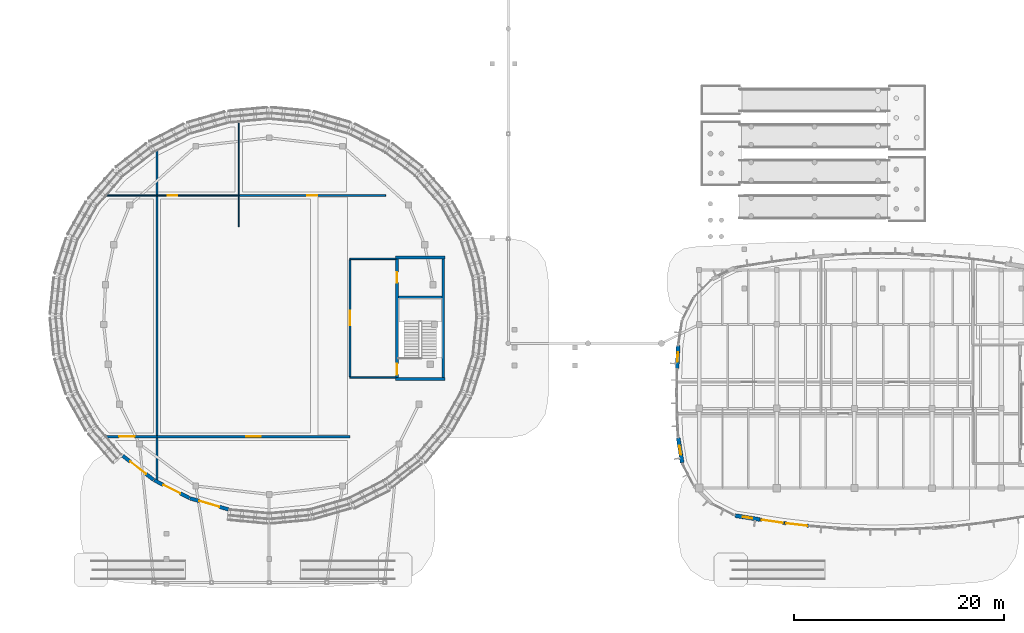
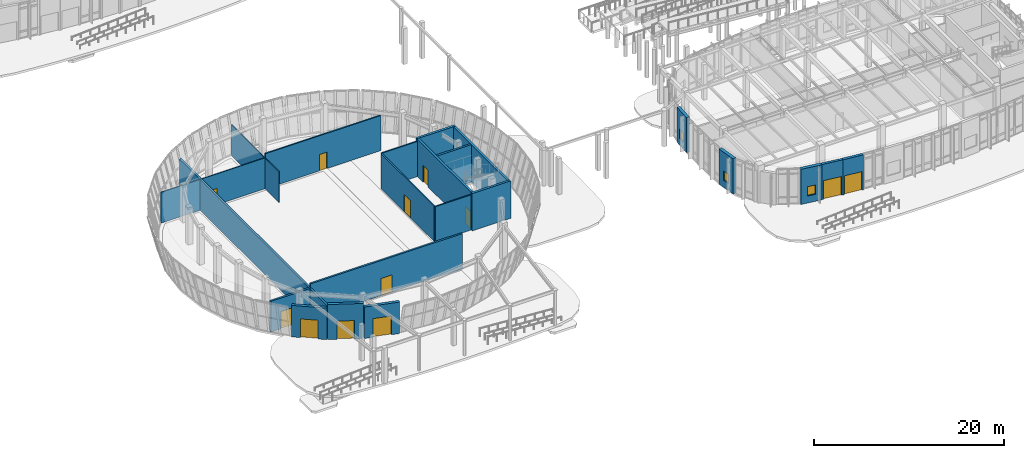
# One storey, part 89 of 120: 22 walls, 12 doors, 3 windows, 15 openings.
"""IFC4 building model written with IfcOpenShell, lengths in metres."""

import ifcopenshell
import ifcopenshell.guid

model = None  # the IFC model being written
_history = None  # IfcOwnerHistory: only IFC2X3 demands one
_inside = {}  # id of a spatial element -> (the spatial element, [elements in it])
_under = {}  # id of a project, library or spatial element -> (it, [spatial elements below it])
_declared = {}  # id of a project -> (the project, [libraries it declares])
_typed = {}  # id of a type object -> (the type object, [elements of that type])
_made_of = {}  # id of a material, layer set ... -> (it, [elements and type objects made of it])


def new_model(schema):
    """Start an empty IFC model of exactly this schema.

    Asked for "IFC4X3", IfcOpenShell would pick the latest addendum, in which some entities
    have other attributes; the version numbers below select the first issue.
    IFC2X3 requires an IfcOwnerHistory on every rooted entity: one is made here for all.
    """
    global model, _history
    if schema == "IFC4X3":
        model = ifcopenshell.file(schema_version=(4, 3, 0, 0))
    else:
        model = ifcopenshell.file(schema=schema)
    _inside.clear()
    _under.clear()
    _declared.clear()
    _typed.clear()
    _made_of.clear()
    _history = None
    if model.schema == "IFC2X3":
        org = make("IfcOrganization", Name="unknown")
        user = make(
            "IfcPersonAndOrganization",
            ThePerson=make("IfcPerson", FamilyName="unknown"),
            TheOrganization=org,
        )
        app = make(
            "IfcApplication",
            ApplicationDeveloper=org,
            Version="unknown",
            ApplicationFullName="unknown",
            ApplicationIdentifier="unknown",
        )
        _history = make(
            "IfcOwnerHistory",
            OwningUser=user,
            OwningApplication=app,
            ChangeAction="ADDED",
            CreationDate=0,
        )
    return model


def make(cls, **values):
    """One entity of the class cls with the attributes given. An attribute that is None is left unset."""
    return model.create_entity(
        cls, **{name: value for name, value in values.items() if value is not None}
    )


def rooted(cls, **values):
    """An entity with a GlobalId (a new one), such as an element, a storey or a relation."""
    return make(cls, GlobalId=ifcopenshell.guid.new(), OwnerHistory=_history, **values)


def si_unit(unit_type, name, prefix=None):
    """IfcSIUnit, for example si_unit("LENGTHUNIT", "METRE", prefix="MILLI")."""
    return make("IfcSIUnit", UnitType=unit_type, Prefix=prefix, Name=name)


def assignment(units):
    """IfcUnitAssignment: the units of a project."""
    return None if units is None else make("IfcUnitAssignment", Units=units)


def point(xyz):
    """IfcCartesianPoint."""
    return None if xyz is None else make("IfcCartesianPoint", Coordinates=xyz)


def direction(xyz):
    """IfcDirection."""
    return None if xyz is None else make("IfcDirection", DirectionRatios=xyz)


def frame(location, z_axis=None, x_axis=None):
    """IfcAxis2Placement3D, a coordinate frame: its origin and axes. An axis left out is left unset."""
    return make(
        "IfcAxis2Placement3D",
        Location=point(location),
        Axis=direction(z_axis),
        RefDirection=direction(x_axis),
    )


def frame_2d(location, x_axis=None):
    """IfcAxis2Placement2D, a coordinate frame in the plane: its origin and x axis."""
    return make(
        "IfcAxis2Placement2D", Location=point(location), RefDirection=direction(x_axis)
    )


def origin():
    """The frame at (0, 0, 0) with its axes left unset."""
    return frame((0.0, 0.0, 0.0))


def place(relative_to, where):
    """IfcLocalPlacement: puts the frame where relative to a parent placement (None: the world)."""
    return make(
        "IfcLocalPlacement", PlacementRelTo=relative_to, RelativePlacement=where
    )


def context(
    kind, dimensions, precision=None, world=None, true_north=None, identifier=None
):
    """IfcGeometricRepresentationContext, for example the 3D "Model" context."""
    return make(
        "IfcGeometricRepresentationContext",
        ContextIdentifier=identifier,
        ContextType=kind,
        CoordinateSpaceDimension=dimensions,
        Precision=precision,
        WorldCoordinateSystem=world,
        TrueNorth=true_north,
    )


def subcontext(parent, identifier, kind, view, scale=None):
    """IfcGeometricRepresentationSubContext, for example "Body" below "Model"."""
    return make(
        "IfcGeometricRepresentationSubContext",
        ContextIdentifier=identifier,
        ContextType=kind,
        ParentContext=parent,
        TargetScale=scale,
        TargetView=view,
    )


def project(units=None, contexts=None):
    """IfcProject with its units and contexts."""
    return rooted(
        "IfcProject",
        Name="project",
        RepresentationContexts=contexts,
        UnitsInContext=assignment(units),
    )


def spatial(cls, under=None, at=None, **own):
    """A site, building, storey or space (cls), placed at a placement, below another one or the project."""
    s = rooted(cls, ObjectPlacement=at, **own)
    if under is not None:
        _under.setdefault(under.id(), (under, []))[1].append(s)
    return s


def profile(cls, at=None, kind="AREA", **sizes):
    """A parametric profile (cls). Its sizes go by their IFC names, for example OverallWidth=200.0."""
    return make(cls, ProfileType=kind, Position=at, **sizes)


def rectangle(**sizes):
    """IfcRectangleProfileDef."""
    return profile("IfcRectangleProfileDef", **sizes)


def extrude(swept, where, along, depth):
    """IfcExtrudedAreaSolid: the profile swept, set in the frame where, extruded along a direction by depth."""
    return make(
        "IfcExtrudedAreaSolid",
        SweptArea=swept,
        Position=where,
        ExtrudedDirection=direction(along),
        Depth=depth,
    )


def shape(context_of_items, identifier, shape_type, items):
    """IfcShapeRepresentation: the items that make up one representation, for example the "Body"."""
    return make(
        "IfcShapeRepresentation",
        ContextOfItems=context_of_items,
        RepresentationIdentifier=identifier,
        RepresentationType=shape_type,
        Items=items,
    )


def material(Name=None, Category=None):
    """IfcMaterial."""
    return make("IfcMaterial", Name=Name, Category=Category)


def layer(
    of_material, thickness, ventilated=None, Name=None, Category=None, Priority=None
):
    """IfcMaterialLayer: one layer of a wall or slab, of a material (None: an air gap)."""
    return make(
        "IfcMaterialLayer",
        Material=of_material,
        LayerThickness=thickness,
        IsVentilated=ventilated,
        Name=Name,
        Category=Category,
        Priority=Priority,
    )


def layer_set(layers, Name=None):
    """IfcMaterialLayerSet."""
    return make("IfcMaterialLayerSet", MaterialLayers=layers, LayerSetName=Name)


def made_of(thing, what):
    """Note that an element or type object is made of a material, layer set ...; save() writes the relation."""
    if what is not None:
        _made_of.setdefault(what.id(), (what, []))[1].append(thing)
    return thing


def type_object(cls, material=None, **own):
    """A type object (cls), such as IfcWallType, which elements share."""
    return made_of(rooted(cls, **own), material)


def element(
    cls,
    number,
    at=None,
    inside=None,
    cuts=None,
    type_object=None,
    material=None,
    context=None,
    identifier="Body",
    shape_type=None,
    held_by="IfcProductDefinitionShape",
    body=None,
    shapes=None,
    **own,
):
    """One element of the class cls, such as IfcWall. Its Tag is "e" and its number.

    at: its placement. inside: the storey or other place that contains it. cuts: it is an
    opening in that element (IfcRelVoidsElement). A single representation is given by context,
    identifier, shape_type and body (its items); several are given by shapes. held_by: the class
    of the entity that holds the representations. save() writes the other relations.
    """
    e = rooted(cls, Tag="e%d" % number, ObjectPlacement=at, **own)
    if body is not None:
        shapes = [shape(context, identifier, shape_type, body)]
    if shapes is not None:
        e.Representation = make(held_by, Representations=shapes)
    if inside is not None:
        _inside.setdefault(inside.id(), (inside, []))[1].append(e)
    if cuts is not None:
        rooted(
            "IfcRelVoidsElement", RelatingBuildingElement=cuts, RelatedOpeningElement=e
        )
    if type_object is not None:
        _typed.setdefault(type_object.id(), (type_object, []))[1].append(e)
    return made_of(e, material)


def fill(opening, filler):
    """IfcRelFillsElement: the door or window that sits in an opening."""
    return rooted(
        "IfcRelFillsElement",
        RelatingOpeningElement=opening,
        RelatedBuildingElement=filler,
    )


def aggregate(whole, parts):
    """IfcRelAggregates: a whole, such as a stair, and the parts it consists of."""
    return rooted("IfcRelAggregates", RelatingObject=whole, RelatedObjects=parts)


def save(model, path):
    """Write the relations noted so far, then the file.

    IfcRelAggregates (storeys below a building ...), IfcRelContainedInSpatialStructure (elements
    in a storey), IfcRelDefinesByType, IfcRelAssociatesMaterial and IfcRelDeclares: one each for
    every whole, place, type object, material and project.
    """
    for whole, parts in _under.values():
        aggregate(whole, parts)
    for where, things in _inside.values():
        rooted(
            "IfcRelContainedInSpatialStructure",
            RelatedElements=things,
            RelatingStructure=where,
        )
    for kind, things in _typed.values():
        rooted("IfcRelDefinesByType", RelatedObjects=things, RelatingType=kind)
    for what, things in _made_of.values():
        rooted("IfcRelAssociatesMaterial", RelatedObjects=things, RelatingMaterial=what)
    for by, libraries in _declared.values():
        rooted("IfcRelDeclares", RelatingContext=by, RelatedDefinitions=libraries)
    model.write(path)


model = new_model("IFC4")

# Units and contexts
model_context = context("Model", 3, precision=1e-05, world=origin(), true_north=direction((0.0, 1.0)))
body_context = subcontext(model_context, "Body", "Model", "MODEL_VIEW")
ifc_project = project(units=[si_unit("LENGTHUNIT", "METRE"), si_unit("AREAUNIT", "SQUARE_METRE"), si_unit("VOLUMEUNIT", "CUBIC_METRE"), si_unit("PLANEANGLEUNIT", "RADIAN"), si_unit("MASSUNIT", "GRAM", prefix="KILO")], contexts=[model_context])

# Site, building, storey
site_placement = place(None, origin())
site = spatial("IfcSite", under=ifc_project, at=site_placement, CompositionType="ELEMENT")
building_placement = place(site_placement, origin())
building = spatial("IfcBuilding", under=site, at=building_placement, Name="Corveleigh Park Community Centre", CompositionType="ELEMENT")
storey_placement = place(building_placement, origin())
storey = spatial("IfcBuildingStorey", under=building, at=storey_placement, Name="L00", CompositionType="ELEMENT", Elevation=0.0)

# Wall, opening, door
ifc_material_1 = material(Name="Precast concrete C40/50", Category="concrete")
ifc_layer_1 = layer(ifc_material_1, 0.300048828125, Name="Precast concrete C40/50", Category="concrete")
ifc_layer_set_1 = layer_set([ifc_layer_1], Name="Precast concrete C40/50")
wall_type_1 = type_object("IfcWallType", Name="WL-EXT-300", PredefinedType="STANDARD", material=ifc_layer_set_1)
wall_1_placement = place(storey_placement, frame((80.115966796875, 7.85595703125, 0.0), z_axis=(0.0, 0.0, 1.0), x_axis=(-0.98914554884, 0.1469390459, 0.0)))
wall_1 = element("IfcWall", 1, at=wall_1_placement, inside=storey, type_object=wall_type_1, Name="V3 entrance wall", PredefinedType="STANDARD", context=body_context, shape_type="SweptSolid", body=[
    extrude(rectangle(XDim=2.33447265625, YDim=0.300048828125, at=frame_2d((1.167236328125, 0.0))), origin(), (0.0, 0.0, 1.0), 4.511962890625),
])
opening_1_placement = place(wall_1_placement, frame((0.1669921875, 0.0, 0.0)))
opening_1 = element("IfcOpeningElement", 2, at=opening_1_placement, cuts=wall_1, Name="Opening EXD1", PredefinedType="OPENING", context=body_context, shape_type="SweptSolid", body=[
    extrude(rectangle(XDim=2.0, YDim=2.39990234375, at=frame_2d((1.0, 1.199951171875))), frame((0.0, 0.159912109375, 0.0), z_axis=(0.0, -1.0, 0.0), x_axis=(1.0, 0.0, 0.0)), (0.0, 0.0, 1.0), 0.320068359375),
])
ifc_material_2 = material(Name="Powder-coated aluminium glazed door", Category="aluminium")
door_type_1 = type_object("IfcDoorType", Name="DR-EXT-2000x2400", OperationType="DOUBLE_DOOR_SINGLE_SWING", PredefinedType="DOOR", material=ifc_material_2)
door_1_placement = place(opening_1_placement, origin())
door_1 = element("IfcDoor", 3, at=door_1_placement, inside=storey, type_object=door_type_1, Name="V3 Final Exit EX15", OperationType="DOUBLE_DOOR_SINGLE_SWING", OverallHeight=2.39990234375, OverallWidth=2.0, PredefinedType="DOOR", context=body_context, shape_type="SweptSolid", body=[
    extrude(rectangle(XDim=2.0, YDim=2.39990234375, at=frame_2d((1.0, 1.199951171875))), frame((0.0, 0.02490234375, 0.0), z_axis=(0.0, -1.0, 0.0), x_axis=(1.0, 0.0, 0.0)), (0.0, 0.0, 1.0), 0.050048828125),
])
fill(opening_1, door_1)

ifc_layer_2 = layer(ifc_material_1, 0.320068359375, Name="Precast concrete C40/50", Category="concrete")
ifc_layer_set_2 = layer_set([ifc_layer_2], Name="Precast concrete C40/50")
wall_type_2 = type_object("IfcWallType", Name="WL-EXT-320", PredefinedType="STANDARD", material=ifc_layer_set_2)
wall_2_placement = place(storey_placement, frame((82.450927734375, 7.5869140625, 0.0), z_axis=(0.0, 0.0, 1.0), x_axis=(-0.993420850358, 0.114520801927, 0.0)))
wall_2 = element("IfcWall", 4, at=wall_2_placement, inside=storey, type_object=wall_type_2, Name="V3 entrance wall", PredefinedType="STANDARD", context=body_context, shape_type="SweptSolid", body=[
    extrude(rectangle(XDim=2.332275390625, YDim=0.320068359375, at=frame_2d((1.166015625, 0.0))), origin(), (0.0, 0.0, 1.0), 4.511962890625),
])
opening_2_placement = place(wall_2_placement, frame((0.166015625, 0.0, 0.0)))
opening_2 = element("IfcOpeningElement", 5, at=opening_2_placement, cuts=wall_2, Name="Opening EXD1", PredefinedType="OPENING", context=body_context, shape_type="SweptSolid", body=[
    extrude(rectangle(XDim=2.0, YDim=2.39990234375, at=frame_2d((1.0, 1.199951171875))), frame((0.0, 0.169921875, 0.0), z_axis=(0.0, -1.0, 0.0), x_axis=(1.0, 0.0, 0.0)), (0.0, 0.0, 1.0), 0.340087890625),
])
door_2_placement = place(opening_2_placement, origin())
door_2 = element("IfcDoor", 6, at=door_2_placement, inside=storey, type_object=door_type_1, Name="V3 Final Exit EX16", OperationType="DOUBLE_DOOR_SINGLE_SWING", OverallHeight=2.39990234375, OverallWidth=2.0, PredefinedType="DOOR", context=body_context, shape_type="SweptSolid", body=[
    extrude(rectangle(XDim=2.0, YDim=2.39990234375, at=frame_2d((1.0, 1.199951171875))), frame((0.0, 0.02490234375, 0.0), z_axis=(0.0, -1.0, 0.0), x_axis=(1.0, 0.0, 0.0)), (0.0, 0.0, 1.0), 0.050048828125),
])
fill(opening_2, door_2)

ifc_layer_3 = layer(ifc_material_1, 0.340087890625, Name="Precast concrete C40/50", Category="concrete")
ifc_layer_set_3 = layer_set([ifc_layer_3], Name="Precast concrete C40/50")
wall_type_3 = type_object("IfcWallType", Name="WL-EXT-340", PredefinedType="STANDARD", material=ifc_layer_set_3)
wall_3_placement = place(storey_placement, frame((19.97998046875, 11.98291015625, 0.0), z_axis=(0.0, 0.0, 1.0), x_axis=(-0.78871426294, 0.614759962453, 0.0)))
wall_3 = element("IfcWall", 7, at=wall_3_placement, inside=storey, type_object=wall_type_3, Name="V1 entrance wall", PredefinedType="STANDARD", context=body_context, shape_type="SweptSolid", body=[
    extrude(rectangle(XDim=3.7529296875, YDim=0.340087890625, at=frame_2d((1.87646484375, 0.0))), origin(), (0.0, 0.0, 1.0), 4.0400390625),
])
opening_3_placement = place(wall_3_placement, frame((0.927001953125, 0.0, 0.0)))
opening_3 = element("IfcOpeningElement", 8, at=opening_3_placement, cuts=wall_3, Name="Opening EXD2", PredefinedType="OPENING", context=body_context, shape_type="SweptSolid", body=[
    extrude(rectangle(XDim=1.89990234375, YDim=2.39990234375, at=frame_2d((0.949951171875, 1.199951171875))), frame((0.0, 0.179931640625, 0.0), z_axis=(0.0, -1.0, 0.0), x_axis=(1.0, 0.0, 0.0)), (0.0, 0.0, 1.0), 0.360107421875),
])
door_type_2 = type_object("IfcDoorType", Name="DR-EXT-1900x2400", OperationType="DOUBLE_DOOR_SINGLE_SWING", PredefinedType="DOOR", material=ifc_material_2)
door_3_placement = place(opening_3_placement, origin())
door_3 = element("IfcDoor", 9, at=door_3_placement, inside=storey, type_object=door_type_2, Name="V1 Final Exit EX01", OperationType="DOUBLE_DOOR_SINGLE_SWING", OverallHeight=2.39990234375, OverallWidth=1.89990234375, PredefinedType="DOOR", context=body_context, shape_type="SweptSolid", body=[
    extrude(rectangle(XDim=1.89990234375, YDim=2.39990234375, at=frame_2d((0.949951171875, 1.199951171875))), frame((0.0, 0.02490234375, 0.0), z_axis=(0.0, -1.0, 0.0), x_axis=(1.0, 0.0, 0.0)), (0.0, 0.0, 1.0), 0.050048828125),
])
fill(opening_3, door_3)

wall_4_placement = place(storey_placement, frame((23.40087890625, 10.241943359375, 0.0), z_axis=(0.0, 0.0, 1.0), x_axis=(-0.891704776389, 0.45261748946, 0.0)))
wall_4 = element("IfcWall", 10, at=wall_4_placement, inside=storey, type_object=wall_type_3, Name="V1 entrance wall", PredefinedType="STANDARD", context=body_context, shape_type="SweptSolid", body=[
    extrude(rectangle(XDim=3.789306640625, YDim=0.340087890625, at=frame_2d((1.89453125, 0.0))), origin(), (0.0, 0.0, 1.0), 4.511962890625),
])
opening_4_placement = place(wall_4_placement, frame((0.9951171875, 0.0, 0.0)))
opening_4 = element("IfcOpeningElement", 11, at=opening_4_placement, cuts=wall_4, Name="Opening EXD3", PredefinedType="OPENING", context=body_context, shape_type="SweptSolid", body=[
    extrude(rectangle(XDim=1.800048828125, YDim=2.35009765625, at=frame_2d((0.89990234375, 1.175048828125))), frame((0.0, 0.179931640625, 0.0), z_axis=(0.0, -1.0, 0.0), x_axis=(1.0, 0.0, 0.0)), (0.0, 0.0, 1.0), 0.360107421875),
])
door_type_3 = type_object("IfcDoorType", Name="DR-EXT-1800x2350", OperationType="DOUBLE_DOOR_SINGLE_SWING", PredefinedType="DOOR", material=ifc_material_2)
door_4_placement = place(opening_4_placement, origin())
door_4 = element("IfcDoor", 12, at=door_4_placement, inside=storey, type_object=door_type_3, Name="V1 Final Exit EX02", OperationType="DOUBLE_DOOR_SINGLE_SWING", OverallHeight=2.35009765625, OverallWidth=1.800048828125, PredefinedType="DOOR", context=body_context, shape_type="SweptSolid", body=[
    extrude(rectangle(XDim=1.800048828125, YDim=2.35009765625, at=frame_2d((0.89990234375, 1.175048828125))), frame((0.0, 0.02490234375, 0.0), z_axis=(0.0, -1.0, 0.0), x_axis=(1.0, 0.0, 0.0)), (0.0, 0.0, 1.0), 0.050048828125),
])
fill(opening_4, door_4)

wall_5_placement = place(storey_placement, frame((27.113037109375, 9.16796875, 0.0), z_axis=(0.0, 0.0, 1.0), x_axis=(-0.960917919041, 0.27683343885, 0.0)))
wall_5 = element("IfcWall", 13, at=wall_5_placement, inside=storey, type_object=wall_type_3, Name="V1 entrance wall", PredefinedType="STANDARD", context=body_context, shape_type="SweptSolid", body=[
    extrude(rectangle(XDim=3.815185546875, YDim=0.340087890625, at=frame_2d((1.90771484375, 0.0))), origin(), (0.0, 0.0, 1.0), 4.0400390625),
])
opening_5_placement = place(wall_5_placement, frame((0.906982421875, 0.0, 0.0)))
opening_5 = element("IfcOpeningElement", 14, at=opening_5_placement, cuts=wall_5, Name="Opening EXD1", PredefinedType="OPENING", context=body_context, shape_type="SweptSolid", body=[
    extrude(rectangle(XDim=2.0, YDim=2.39990234375, at=frame_2d((1.0, 1.199951171875))), frame((0.0, 0.179931640625, 0.0), z_axis=(0.0, -1.0, 0.0), x_axis=(1.0, 0.0, 0.0)), (0.0, 0.0, 1.0), 0.360107421875),
])
door_5_placement = place(opening_5_placement, origin())
door_5 = element("IfcDoor", 15, at=door_5_placement, inside=storey, type_object=door_type_1, Name="V1 Final Exit EX03", OperationType="DOUBLE_DOOR_SINGLE_SWING", OverallHeight=2.39990234375, OverallWidth=2.0, PredefinedType="DOOR", context=body_context, shape_type="SweptSolid", body=[
    extrude(rectangle(XDim=2.0, YDim=2.39990234375, at=frame_2d((1.0, 1.199951171875))), frame((0.0, 0.02490234375, 0.0), z_axis=(0.0, -1.0, 0.0), x_axis=(1.0, 0.0, 0.0)), (0.0, 0.0, 1.0), 0.050048828125),
])
fill(opening_5, door_5)

# Wall, opening, window
ifc_layer_4 = layer(ifc_material_1, 0.360107421875, Name="Precast concrete C40/50", Category="concrete")
ifc_layer_set_4 = layer_set([ifc_layer_4], Name="Precast concrete C40/50")
wall_type_4 = type_object("IfcWallType", Name="WL-EXT-360", PredefinedType="STANDARD", material=ifc_layer_set_4)
wall_6_placement = place(storey_placement, frame((69.89892578125, 22.610107421875, 0.0), z_axis=(0.0, 0.0, 1.0), x_axis=(0.046018611105, 0.998940582533, 0.0)))
wall_6 = element("IfcWall", 16, at=wall_6_placement, inside=storey, type_object=wall_type_4, Name="V3 L00 Precast Facade Wall", PredefinedType="STANDARD", context=body_context, shape_type="SweptSolid", body=[
    extrude(rectangle(XDim=2.175048828125, YDim=0.360107421875, at=frame_2d((1.08740234375, 0.0))), origin(), (0.0, 0.0, 1.0), 4.511962890625),
])
opening_6_placement = place(wall_6_placement, frame((0.636962890625, 0.0, 0.89990234375)))
opening_6 = element("IfcOpeningElement", 17, at=opening_6_placement, cuts=wall_6, Name="Opening W01", PredefinedType="OPENING", context=body_context, shape_type="SweptSolid", body=[
    extrude(rectangle(XDim=0.89990234375, YDim=1.199951171875, at=frame_2d((0.449951171875, 0.60009765625))), frame((0.0, 0.18994140625, 0.0), z_axis=(0.0, -1.0, 0.0), x_axis=(1.0, 0.0, 0.0)), (0.0, 0.0, 1.0), 0.380126953125),
])
ifc_material_3 = material(Name="Low-E double glazing", Category="glass")
window_type = type_object("IfcWindowType", Name="WIN-EXT-0900x1200", PartitioningType="SINGLE_PANEL", PredefinedType="WINDOW", material=ifc_material_3)
window_1_placement = place(opening_6_placement, origin())
window_1 = element("IfcWindow", 18, at=window_1_placement, inside=storey, type_object=window_type, Name="V3 L00 Window 18", OverallHeight=1.199951171875, OverallWidth=0.89990234375, PartitioningType="SINGLE_PANEL", PredefinedType="WINDOW", context=body_context, shape_type="SweptSolid", body=[
    extrude(rectangle(XDim=0.89990234375, YDim=1.199951171875, at=frame_2d((0.449951171875, 0.60009765625))), frame((0.0, 0.030029296875, 0.0), z_axis=(0.0, -1.0, 0.0), x_axis=(1.0, 0.0, 0.0)), (0.0, 0.0, 1.0), 0.06005859375),
])
fill(opening_6, window_1)

ifc_layer_5 = layer(ifc_material_1, 0.3798828125, Name="Precast concrete C40/50", Category="concrete")
ifc_layer_set_5 = layer_set([ifc_layer_5], Name="Precast concrete C40/50")
wall_type_5 = type_object("IfcWallType", Name="WL-EXT-380", PredefinedType="STANDARD", material=ifc_layer_set_5)
wall_7_placement = place(storey_placement, frame((70.3759765625, 13.6279296875, 0.0), z_axis=(0.0, 0.0, 1.0), x_axis=(-0.156456808689, 0.98768480145, 0.0)))
wall_7 = element("IfcWall", 19, at=wall_7_placement, inside=storey, type_object=wall_type_5, Name="V3 L00 Precast Facade Wall", PredefinedType="STANDARD", context=body_context, shape_type="SweptSolid", body=[
    extrude(rectangle(XDim=2.38427734375, YDim=0.3798828125, at=frame_2d((1.192138671875, 0.0))), origin(), (0.0, 0.0, 1.0), 4.511962890625),
])
opening_7_placement = place(wall_7_placement, frame((0.741943359375, 0.0, 0.89990234375)))
opening_7 = element("IfcOpeningElement", 20, at=opening_7_placement, cuts=wall_7, Name="Opening W01", PredefinedType="OPENING", context=body_context, shape_type="SweptSolid", body=[
    extrude(rectangle(XDim=0.89990234375, YDim=1.199951171875, at=frame_2d((0.449951171875, 0.60009765625))), frame((0.0, 0.199951171875, 0.0), z_axis=(0.0, -1.0, 0.0), x_axis=(1.0, 0.0, 0.0)), (0.0, 0.0, 1.0), 0.39990234375),
])
window_2_placement = place(opening_7_placement, origin())
window_2 = element("IfcWindow", 21, at=window_2_placement, inside=storey, type_object=window_type, Name="V3 L00 Window 19", OverallHeight=1.199951171875, OverallWidth=0.89990234375, PartitioningType="SINGLE_PANEL", PredefinedType="WINDOW", context=body_context, shape_type="SweptSolid", body=[
    extrude(rectangle(XDim=0.89990234375, YDim=1.199951171875, at=frame_2d((0.449951171875, 0.60009765625))), frame((0.0, 0.030029296875, 0.0), z_axis=(0.0, -1.0, 0.0), x_axis=(1.0, 0.0, 0.0)), (0.0, 0.0, 1.0), 0.06005859375),
])
fill(opening_7, window_2)

wall_8_placement = place(storey_placement, frame((77.79296875, 8.200927734375, 0.0), z_axis=(0.0, 0.0, 1.0), x_axis=(-0.987661073589, 0.15660652514, 0.0)))
wall_8 = element("IfcWall", 22, at=wall_8_placement, inside=storey, type_object=wall_type_5, Name="V3 L00 Precast Facade Wall", PredefinedType="STANDARD", context=body_context, shape_type="SweptSolid", body=[
    extrude(rectangle(XDim=2.39453125, YDim=0.3798828125, at=frame_2d((1.197265625, 0.0))), origin(), (0.0, 0.0, 1.0), 4.511962890625),
])
opening_8_placement = place(wall_8_placement, frame((0.748046875, 0.0, 0.89990234375)))
opening_8 = element("IfcOpeningElement", 23, at=opening_8_placement, cuts=wall_8, Name="Opening W01", PredefinedType="OPENING", context=body_context, shape_type="SweptSolid", body=[
    extrude(rectangle(XDim=0.89990234375, YDim=1.199951171875, at=frame_2d((0.449951171875, 0.60009765625))), frame((0.0, 0.199951171875, 0.0), z_axis=(0.0, -1.0, 0.0), x_axis=(1.0, 0.0, 0.0)), (0.0, 0.0, 1.0), 0.39990234375),
])
window_3_placement = place(opening_8_placement, origin())
window_3 = element("IfcWindow", 24, at=window_3_placement, inside=storey, type_object=window_type, Name="V3 L00 Window 20", OverallHeight=1.199951171875, OverallWidth=0.89990234375, PartitioningType="SINGLE_PANEL", PredefinedType="WINDOW", context=body_context, shape_type="SweptSolid", body=[
    extrude(rectangle(XDim=0.89990234375, YDim=1.199951171875, at=frame_2d((0.449951171875, 0.60009765625))), frame((0.0, 0.030029296875, 0.0), z_axis=(0.0, -1.0, 0.0), x_axis=(1.0, 0.0, 0.0)), (0.0, 0.0, 1.0), 0.06005859375),
])
fill(opening_8, window_3)

# Wall, opening, door
ifc_material_4 = material(Name="Gypsum acoustic stud partition", Category="gypsum")
ifc_layer_6 = layer(ifc_material_4, 0.10009765625, Name="Gypsum acoustic stud partition", Category="gypsum")
ifc_layer_set_6 = layer_set([ifc_layer_6], Name="Gypsum acoustic stud partition")
wall_type_6 = type_object("IfcWallType", Name="WL-PRT-100", PredefinedType="PARTITIONING", material=ifc_layer_set_6)
wall_9_placement = place(storey_placement, frame((28.10009765625, 39.10009765625, 0.0), z_axis=(0.0, 0.0, 1.0), x_axis=(-1.0, 0.0, 0.0)))
wall_9 = element("IfcWall", 25, at=wall_9_placement, inside=storey, type_object=wall_type_6, Name="Performers Green Room corridor wall", PredefinedType="PARTITIONING", context=body_context, shape_type="SweptSolid", body=[
    extrude(rectangle(XDim=12.651123046875, YDim=0.10009765625, at=frame_2d((6.32568359375, 0.0))), origin(), (0.0, 0.0, 1.0), 3.9599609375),
])
opening_9_placement = place(wall_9_placement, frame((5.87109375, 0.0, 0.0)))
opening_9 = element("IfcOpeningElement", 26, at=opening_9_placement, cuts=wall_9, Name="Opening ID03", PredefinedType="OPENING", context=body_context, shape_type="SweptSolid", body=[
    extrude(rectangle(XDim=0.909912109375, YDim=2.10009765625, at=frame_2d((0.455078125, 1.050048828125))), frame((0.0, 0.06005859375, 0.0), z_axis=(0.0, -1.0, 0.0), x_axis=(1.0, 0.0, 0.0)), (0.0, 0.0, 1.0), 0.1201171875),
])
ifc_material_5 = material(Name="Hardwood acoustic door leaf", Category="wood")
door_type_4 = type_object("IfcDoorType", Name="DR-INT-0910x2100", OperationType="NOTDEFINED", PredefinedType="DOOR", material=ifc_material_5)
door_6_placement = place(opening_9_placement, origin())
door_6 = element("IfcDoor", 27, at=door_6_placement, inside=storey, type_object=door_type_4, Name="Performers Green Room door", OperationType="SINGLE_SWING_RIGHT", OverallHeight=2.10009765625, OverallWidth=0.909912109375, PredefinedType="DOOR", context=body_context, shape_type="SweptSolid", body=[
    extrude(rectangle(XDim=0.909912109375, YDim=2.10009765625, at=frame_2d((0.455078125, 1.050048828125))), frame((0.0, 0.02490234375, 0.0), z_axis=(0.0, -1.0, 0.0), x_axis=(1.0, 0.0, 0.0)), (0.0, 0.0, 1.0), 0.050048828125),
])
fill(opening_9, door_6)

# Walls
wall_10_placement = place(storey_placement, frame((28.10009765625, 36.10009765625, 0.0), z_axis=(0.0, 0.0, 1.0), x_axis=(0.0, 1.0, 0.0)))
element("IfcWall", 28, at=wall_10_placement, inside=storey, type_object=wall_type_6, Name="Performers Green Room partition", PredefinedType="PARTITIONING", context=body_context, shape_type="SweptSolid", body=[
    extrude(rectangle(XDim=10.02880859375, YDim=0.10009765625, at=frame_2d((5.014404296875, 0.0))), origin(), (0.0, 0.0, 1.0), 3.9599609375),
])
ifc_layer_7 = layer(ifc_material_4, 0.14990234375, Name="Gypsum acoustic stud partition", Category="gypsum")
ifc_layer_set_7 = layer_set([ifc_layer_7], Name="Gypsum acoustic stud partition")
wall_type_7 = type_object("IfcWallType", Name="WL-PRT-150", PredefinedType="PARTITIONING", material=ifc_layer_set_7)
for number, where, z_axis, x_axis, name in (
    (29, (38.699951171875, 21.75, 0.0), (0.0, 0.0, 1.0), (1.0, 0.0, 0.0), "CORE5 lobby south wall"),
    (30, (43.077880859375, 33.050048828125, 0.0), (0.0, 0.0, 1.0), (-1.0, 0.0, 0.0), "CORE5 lobby north wall"),
):
    element("IfcWall", number, at=place(storey_placement, frame(where, z_axis=z_axis, x_axis=x_axis)), inside=storey, type_object=wall_type_7, Name=name, PredefinedType="PARTITIONING", context=body_context, shape_type="SweptSolid", body=[
        extrude(rectangle(XDim=4.3779296875, YDim=0.14990234375, at=frame_2d((2.18896484375, 0.0))), origin(), (0.0, 0.0, 1.0), 4.511962890625),
    ])

# Wall, opening, door
wall_11_placement = place(storey_placement, frame((38.699951171875, 32.969970703125, 0.0), z_axis=(0.0, 0.0, 1.0), x_axis=(0.0, -1.0, 0.0)))
wall_11 = element("IfcWall", 31, at=wall_11_placement, inside=storey, type_object=wall_type_7, Name="CORE5 lobby corridor wall", PredefinedType="PARTITIONING", context=body_context, shape_type="SweptSolid", body=[
    extrude(rectangle(XDim=11.139892578125, YDim=0.14990234375, at=frame_2d((5.56982421875, 0.0))), origin(), (0.0, 0.0, 1.0), 4.511962890625),
])
opening_10_placement = place(wall_11_placement, frame((4.8798828125, 0.0, 0.0)))
opening_10 = element("IfcOpeningElement", 32, at=opening_10_placement, cuts=wall_11, Name="Opening FD02", PredefinedType="OPENING", context=body_context, shape_type="SweptSolid", body=[
    extrude(rectangle(XDim=1.3798828125, YDim=2.199951171875, at=frame_2d((0.68994140625, 1.10009765625))), frame((0.0, 0.0849609375, 0.0), z_axis=(0.0, -1.0, 0.0), x_axis=(1.0, 0.0, 0.0)), (0.0, 0.0, 1.0), 0.169921875),
])
door_type_5 = type_object("IfcDoorType", Name="DR-FIR-1380x2200", OperationType="DOUBLE_DOOR_SINGLE_SWING", PredefinedType="DOOR", material=ifc_material_5)
door_7_placement = place(opening_10_placement, origin())
door_7 = element("IfcDoor", 33, at=door_7_placement, inside=storey, type_object=door_type_5, Name="Lobby CORE5 corridor door L00", OperationType="DOUBLE_DOOR_SINGLE_SWING", OverallHeight=2.199951171875, OverallWidth=1.3798828125, PredefinedType="DOOR", context=body_context, shape_type="SweptSolid", body=[
    extrude(rectangle(XDim=1.3798828125, YDim=2.199951171875, at=frame_2d((0.68994140625, 1.10009765625))), frame((0.0, 0.02490234375, 0.0), z_axis=(0.0, -1.0, 0.0), x_axis=(1.0, 0.0, 0.0)), (0.0, 0.0, 1.0), 0.050048828125),
])
fill(opening_10, door_7)

ifc_layer_8 = layer(ifc_material_4, 0.1650390625, Name="Gypsum acoustic stud partition", Category="gypsum")
ifc_layer_set_8 = layer_set([ifc_layer_8], Name="Gypsum acoustic stud partition")
wall_type_8 = type_object("IfcWallType", Name="WL-PRT-165", PredefinedType="PARTITIONING", material=ifc_layer_set_8)
wall_12_placement = place(storey_placement, frame((42.10009765625, 39.10009765625, 0.0), z_axis=(0.0, 0.0, 1.0), x_axis=(-1.0, 0.0, 0.0)))
wall_12 = element("IfcWall", 34, at=wall_12_placement, inside=storey, type_object=wall_type_8, Name="Accessible and Public Toilets V1 corridor wall", PredefinedType="PARTITIONING", context=body_context, shape_type="SweptSolid", body=[
    extrude(rectangle(XDim=14.0, YDim=0.1650390625, at=frame_2d((7.0, 0.0))), origin(), (0.0, 0.0, 1.0), 4.511962890625),
])
opening_11_placement = place(wall_12_placement, frame((6.530029296875, 0.0, 0.0)))
opening_11 = element("IfcOpeningElement", 35, at=opening_11_placement, cuts=wall_12, Name="Opening FD09", PredefinedType="OPENING", context=body_context, shape_type="SweptSolid", body=[
    extrude(rectangle(XDim=0.93994140625, YDim=2.10009765625, at=frame_2d((0.469970703125, 1.050048828125))), frame((0.0, 0.092529296875, 0.0), z_axis=(0.0, -1.0, 0.0), x_axis=(1.0, 0.0, 0.0)), (0.0, 0.0, 1.0), 0.18505859375),
])
door_type_6 = type_object("IfcDoorType", Name="DR-FIR-0940x2100", OperationType="NOTDEFINED", PredefinedType="DOOR", material=ifc_material_5)
door_8_placement = place(opening_11_placement, origin())
door_8 = element("IfcDoor", 36, at=door_8_placement, inside=storey, type_object=door_type_6, Name="Accessible and Public Toilets V1 door", OperationType="SINGLE_SWING_LEFT", OverallHeight=2.10009765625, OverallWidth=0.93994140625, PredefinedType="DOOR", context=body_context, shape_type="SweptSolid", body=[
    extrude(rectangle(XDim=0.93994140625, YDim=2.10009765625, at=frame_2d((0.469970703125, 1.050048828125))), frame((0.0, 0.02490234375, 0.0), z_axis=(0.0, -1.0, 0.0), x_axis=(1.0, 0.0, 0.0)), (0.0, 0.0, 1.0), 0.050048828125),
])
fill(opening_11, door_8)

ifc_material_6 = material(Name="Masonry blockwork 7.3 MPa", Category="masonry")
ifc_layer_9 = layer(ifc_material_6, 0.215087890625, Name="Masonry blockwork 7.3 MPa", Category="masonry")
ifc_layer_set_9 = layer_set([ifc_layer_9], Name="Masonry blockwork 7.3 MPa")
wall_type_9 = type_object("IfcWallType", Name="WL-PRT-215", PredefinedType="PARTITIONING", material=ifc_layer_set_9)
wall_13_placement = place(storey_placement, frame((38.699951171875, 16.10009765625, 0.0), z_axis=(0.0, 0.0, 1.0), x_axis=(-1.0, 0.0, 0.0)))
wall_13 = element("IfcWall", 37, at=wall_13_placement, inside=storey, type_object=wall_type_9, Name="Main Hall and Sanctuary corridor wall", PredefinedType="PARTITIONING", context=body_context, shape_type="SweptSolid", body=[
    extrude(rectangle(XDim=18.39990234375, YDim=0.215087890625, at=frame_2d((9.199951171875, 0.0))), origin(), (0.0, 0.0, 1.0), 4.511962890625),
])
opening_12_placement = place(wall_13_placement, frame((8.510009765625, 0.0, 0.0)))
opening_12 = element("IfcOpeningElement", 38, at=opening_12_placement, cuts=wall_13, Name="Opening FD02", PredefinedType="OPENING", context=body_context, shape_type="SweptSolid", body=[
    extrude(rectangle(XDim=1.3798828125, YDim=2.199951171875, at=frame_2d((0.68994140625, 1.10009765625))), frame((0.0, 0.117431640625, 0.0), z_axis=(0.0, -1.0, 0.0), x_axis=(1.0, 0.0, 0.0)), (0.0, 0.0, 1.0), 0.235107421875),
])
door_9_placement = place(opening_12_placement, origin())
door_9 = element("IfcDoor", 39, at=door_9_placement, inside=storey, type_object=door_type_5, Name="Main Hall and Sanctuary door", OperationType="DOUBLE_DOOR_SINGLE_SWING", OverallHeight=2.199951171875, OverallWidth=1.3798828125, PredefinedType="DOOR", context=body_context, shape_type="SweptSolid", body=[
    extrude(rectangle(XDim=1.3798828125, YDim=2.199951171875, at=frame_2d((0.68994140625, 1.10009765625))), frame((0.0, 0.02490234375, 0.0), z_axis=(0.0, -1.0, 0.0), x_axis=(1.0, 0.0, 0.0)), (0.0, 0.0, 1.0), 0.050048828125),
])
fill(opening_12, door_9)

ifc_layer_10 = layer(ifc_material_6, 0.22998046875, Name="Masonry blockwork 7.3 MPa", Category="masonry")
ifc_layer_set_10 = layer_set([ifc_layer_10], Name="Masonry blockwork 7.3 MPa")
wall_type_10 = type_object("IfcWallType", Name="WL-PRT-230", PredefinedType="PARTITIONING", material=ifc_layer_set_10)
wall_14_placement = place(storey_placement, frame((20.300048828125, 16.10009765625, 0.0), z_axis=(0.0, 0.0, 1.0), x_axis=(-1.0, 0.0, 0.0)))
wall_14 = element("IfcWall", 40, at=wall_14_placement, inside=storey, type_object=wall_type_10, Name="Quiet Contemplation Chapel corridor wall", PredefinedType="PARTITIONING", context=body_context, shape_type="SweptSolid", body=[
    extrude(rectangle(XDim=4.85107421875, YDim=0.22998046875, at=frame_2d((2.425537109375, 0.0))), origin(), (0.0, 0.0, 1.0), 3.9599609375),
])
opening_13_placement = place(wall_14_placement, frame((2.1259765625, 0.0, 0.0)))
opening_13 = element("IfcOpeningElement", 41, at=opening_13_placement, cuts=wall_14, Name="Opening FD01", PredefinedType="OPENING", context=body_context, shape_type="SweptSolid", body=[
    extrude(rectangle(XDim=1.47998046875, YDim=2.219970703125, at=frame_2d((0.739990234375, 1.10986328125))), frame((0.0, 0.125, 0.0), z_axis=(0.0, -1.0, 0.0), x_axis=(1.0, 0.0, 0.0)), (0.0, 0.0, 1.0), 0.25),
])
door_type_7 = type_object("IfcDoorType", Name="DR-FIR-1480x2220", OperationType="DOUBLE_DOOR_SINGLE_SWING", PredefinedType="DOOR", material=ifc_material_5)
door_10_placement = place(opening_13_placement, origin())
door_10 = element("IfcDoor", 42, at=door_10_placement, inside=storey, type_object=door_type_7, Name="Quiet Contemplation Chapel door", OperationType="DOUBLE_DOOR_SINGLE_SWING", OverallHeight=2.219970703125, OverallWidth=1.47998046875, PredefinedType="DOOR", context=body_context, shape_type="SweptSolid", body=[
    extrude(rectangle(XDim=1.47998046875, YDim=2.219970703125, at=frame_2d((0.739990234375, 1.10986328125))), frame((0.0, 0.02490234375, 0.0), z_axis=(0.0, -1.0, 0.0), x_axis=(1.0, 0.0, 0.0)), (0.0, 0.0, 1.0), 0.050048828125),
])
fill(opening_13, door_10)

# Walls
wall_15_placement = place(storey_placement, frame((20.300048828125, 11.992919921875, 0.0), z_axis=(0.0, 0.0, 1.0), x_axis=(0.0, 1.0, 0.0)))
element("IfcWall", 43, at=wall_15_placement, inside=storey, type_object=wall_type_10, Name="Main Hall and Sanctuary partition", PredefinedType="PARTITIONING", context=body_context, shape_type="SweptSolid", body=[
    extrude(rectangle(XDim=31.39111328125, YDim=0.22998046875, at=frame_2d((15.695556640625, 0.0))), origin(), (0.0, 0.0, 1.0), 3.9599609375),
])
ifc_material_7 = material(Name="Concrete C40/50", Category="concrete")
ifc_layer_11 = layer(ifc_material_7, 0.25, Name="Concrete C40/50", Category="concrete")
ifc_layer_set_11 = layer_set([ifc_layer_11], Name="Concrete C40/50")
wall_type_11 = type_object("IfcWallType", Name="WL-SHR-250", PredefinedType="SHEAR", material=ifc_layer_set_11)
wall_16_placement = place(storey_placement, frame((43.337890625, 29.39990234375, 0.0), z_axis=(0.0, 0.0, 1.0), x_axis=(1.0, 0.0, 0.0)))
element("IfcWall", 44, at=wall_16_placement, inside=storey, type_object=wall_type_11, Name="CORE5 shaft wall", PredefinedType="SHEAR", context=body_context, shape_type="SweptSolid", body=[
    extrude(rectangle(XDim=4.1240234375, YDim=0.25, at=frame_2d((2.06201171875, 0.0))), origin(), (0.0, 0.0, 1.0), 4.800048828125),
])
ifc_layer_12 = layer(ifc_material_7, 0.27490234375, Name="Concrete C40/50", Category="concrete")
ifc_layer_set_12 = layer_set([ifc_layer_12], Name="Concrete C40/50")
wall_type_12 = type_object("IfcWallType", Name="WL-SHR-275", PredefinedType="SHEAR", material=ifc_layer_set_12)
wall_17_placement = place(storey_placement, frame((43.06201171875, 21.60009765625, 0.0), z_axis=(0.0, 0.0, 1.0), x_axis=(1.0, 0.0, 0.0)))
element("IfcWall", 45, at=wall_17_placement, inside=storey, type_object=wall_type_12, Name="CORE5 south shear wall", PredefinedType="SHEAR", context=body_context, shape_type="SweptSolid", body=[
    extrude(rectangle(XDim=4.676025390625, YDim=0.27490234375, at=frame_2d((2.337890625, 0.0))), origin(), (0.0, 0.0, 1.0), 4.800048828125),
])
wall_18_placement = place(storey_placement, frame((47.60009765625, 21.738037109375, 0.0), z_axis=(0.0, 0.0, 1.0), x_axis=(0.0, 1.0, 0.0)))
element("IfcWall", 46, at=wall_18_placement, inside=storey, type_object=wall_type_12, Name="CORE5 east shear wall", PredefinedType="SHEAR", context=body_context, shape_type="SweptSolid", body=[
    extrude(rectangle(XDim=11.323974609375, YDim=0.27490234375, at=frame_2d((5.662109375, 0.0))), origin(), (0.0, 0.0, 1.0), 4.800048828125),
])
wall_19_placement = place(storey_placement, frame((47.738037109375, 33.199951171875, 0.0), z_axis=(0.0, 0.0, 1.0), x_axis=(-1.0, 0.0, 0.0)))
element("IfcWall", 47, at=wall_19_placement, inside=storey, type_object=wall_type_12, Name="CORE5 north shear wall", PredefinedType="SHEAR", context=body_context, shape_type="SweptSolid", body=[
    extrude(rectangle(XDim=4.676025390625, YDim=0.27490234375, at=frame_2d((2.337890625, 0.0))), origin(), (0.0, 0.0, 1.0), 4.800048828125),
])

# Wall, openings, doors
wall_20_placement = place(storey_placement, frame((43.199951171875, 33.06201171875, 0.0), z_axis=(0.0, 0.0, 1.0), x_axis=(0.0, -1.0, 0.0)))
wall_20 = element("IfcWall", 48, at=wall_20_placement, inside=storey, type_object=wall_type_12, Name="CORE5 west lobby wall", PredefinedType="SHEAR", context=body_context, shape_type="SweptSolid", body=[
    extrude(rectangle(XDim=11.323974609375, YDim=0.27490234375, at=frame_2d((5.662109375, 0.0))), origin(), (0.0, 0.0, 1.0), 4.800048828125),
])
opening_14_placement = place(wall_20_placement, frame((1.261962890625, 0.0, 0.0)))
opening_14 = element("IfcOpeningElement", 49, at=opening_14_placement, cuts=wall_20, Name="Opening LD02", PredefinedType="OPENING", context=body_context, shape_type="SweptSolid", body=[
    extrude(rectangle(XDim=1.0, YDim=2.14990234375, at=frame_2d((0.5, 1.074951171875))), frame((0.0, 0.1474609375, 0.0), z_axis=(0.0, -1.0, 0.0), x_axis=(1.0, 0.0, 0.0)), (0.0, 0.0, 1.0), 0.294921875),
])
opening_15_placement = place(wall_20_placement, frame((9.98193359375, 0.0, 0.0)))
opening_15 = element("IfcOpeningElement", 50, at=opening_15_placement, cuts=wall_20, Name="Opening FD04", PredefinedType="OPENING", context=body_context, shape_type="SweptSolid", body=[
    extrude(rectangle(XDim=1.06005859375, YDim=2.14990234375, at=frame_2d((0.530029296875, 1.074951171875))), frame((0.0, 0.1474609375, 0.0), z_axis=(0.0, -1.0, 0.0), x_axis=(1.0, 0.0, 0.0)), (0.0, 0.0, 1.0), 0.294921875),
])
door_type_8 = type_object("IfcDoorType", Name="DR-FIR-1060x2150", OperationType="NOTDEFINED", PredefinedType="DOOR", material=ifc_material_5)
door_11_placement = place(opening_15_placement, origin())
door_11 = element("IfcDoor", 51, at=door_11_placement, inside=storey, type_object=door_type_8, Name="Stair ST5 fire door L00", OperationType="SINGLE_SWING_RIGHT", OverallHeight=2.14990234375, OverallWidth=1.06005859375, PredefinedType="DOOR", context=body_context, shape_type="SweptSolid", body=[
    extrude(rectangle(XDim=1.06005859375, YDim=2.14990234375, at=frame_2d((0.530029296875, 1.074951171875))), frame((0.0, 0.02490234375, 0.0), z_axis=(0.0, -1.0, 0.0), x_axis=(1.0, 0.0, 0.0)), (0.0, 0.0, 1.0), 0.050048828125),
])
fill(opening_15, door_11)
ifc_material_8 = material(Name="Brushed stainless steel lift car", Category="steel")
door_type_9 = type_object("IfcDoorType", Name="DR-LFT-1000x2150", OperationType="SLIDING_TO_LEFT", PredefinedType="DOOR", material=ifc_material_8)
door_12_placement = place(opening_14_placement, origin())
door_12 = element("IfcDoor", 52, at=door_12_placement, inside=storey, type_object=door_type_9, Name="Lift PL3 landing door L00", OperationType="SLIDING_TO_LEFT", OverallHeight=2.14990234375, OverallWidth=1.0, PredefinedType="DOOR", context=body_context, shape_type="SweptSolid", body=[
    extrude(rectangle(XDim=1.0, YDim=2.14990234375, at=frame_2d((0.5, 1.074951171875))), frame((0.0, 0.02490234375, 0.0), z_axis=(0.0, -1.0, 0.0), x_axis=(1.0, 0.0, 0.0)), (0.0, 0.0, 1.0), 0.050048828125),
])
fill(opening_14, door_12)

save(model, "model.ifc")
